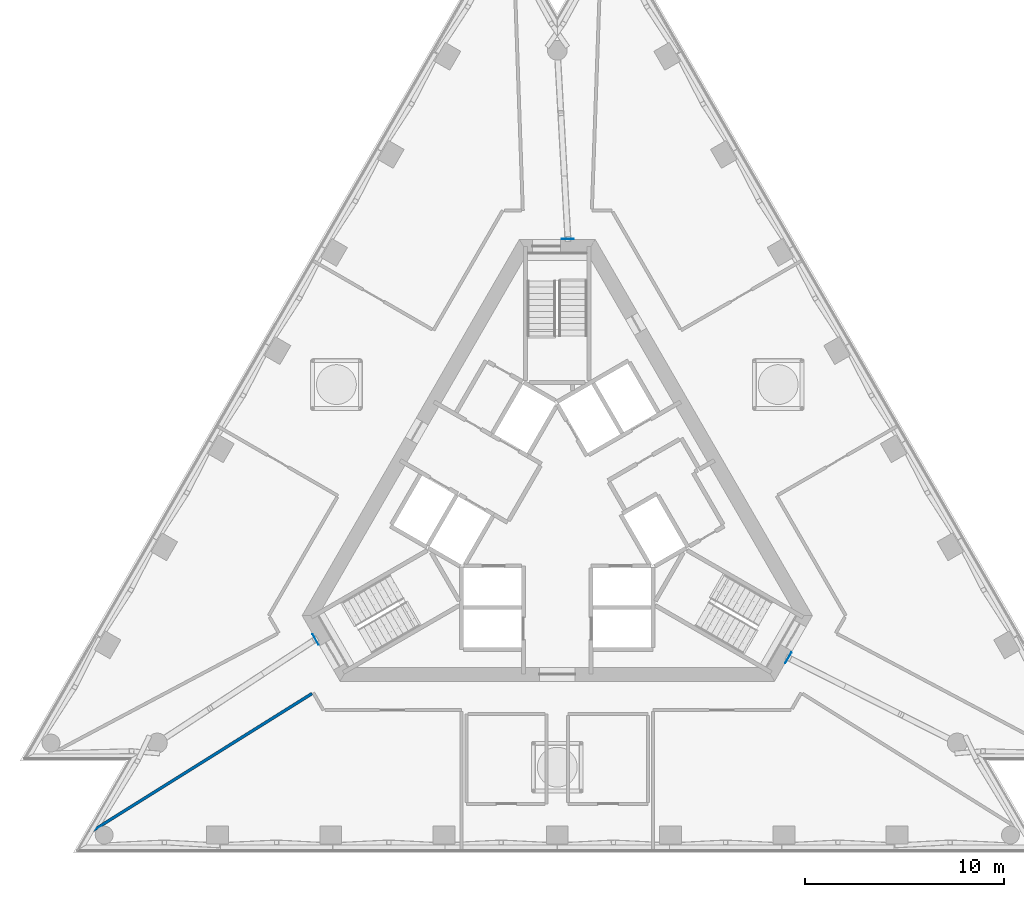
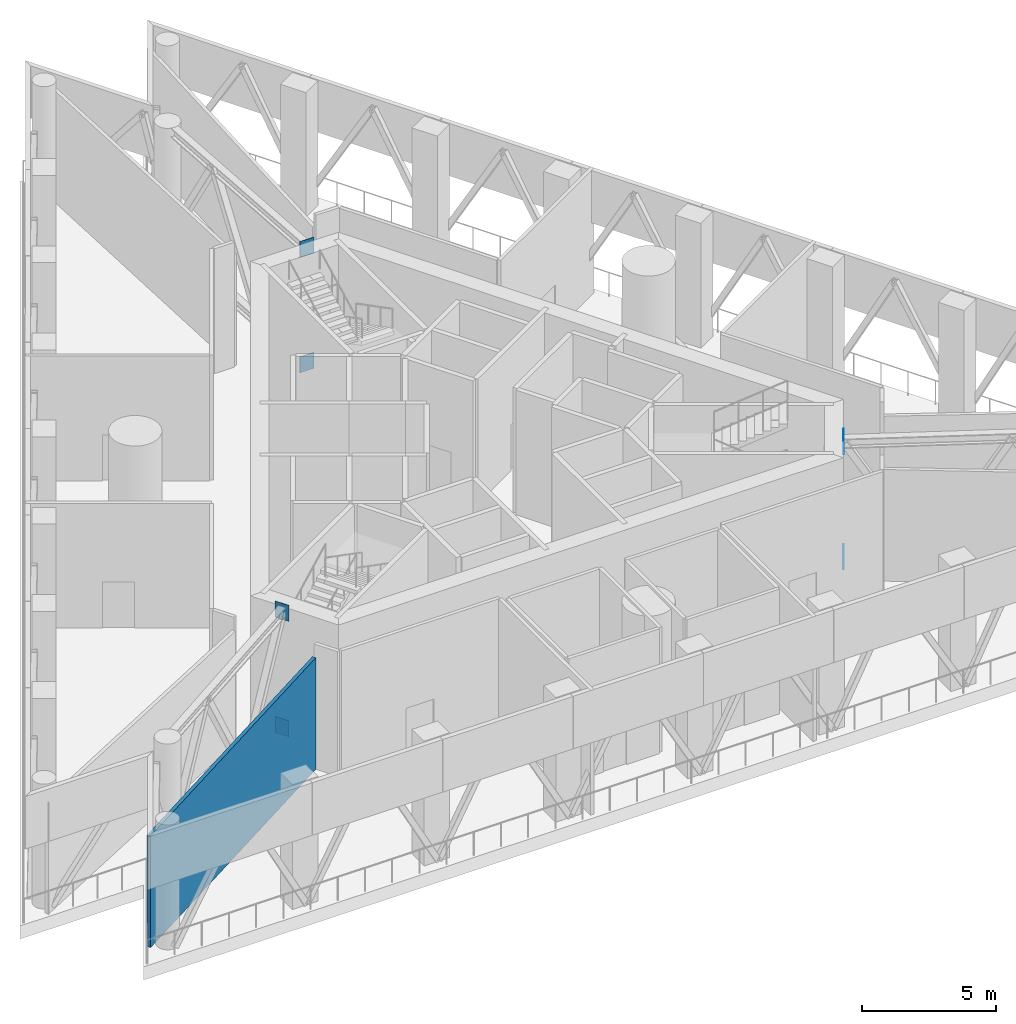
# One storey, part 7 of 15: 6 plates, 1 wall.
"""IFC4 building model written with IfcOpenShell, lengths in metres."""

from ifc_helpers import new_model, si_unit, direction, frame, frame_2d, origin, origin_2d, place, context, subcontext, project, spatial, rectangle, extrude, material, layer, layer_set, type_object, element, save


model = new_model("IFC4")

# Units and contexts
model_context = context("Model", 3, precision=1e-05, world=origin(), true_north=direction((0.0, 1.0)))
body_context = subcontext(model_context, "Body", "Model", "MODEL_VIEW")
ifc_project = project(units=[si_unit("LENGTHUNIT", "METRE"), si_unit("AREAUNIT", "SQUARE_METRE"), si_unit("VOLUMEUNIT", "CUBIC_METRE"), si_unit("PLANEANGLEUNIT", "RADIAN"), si_unit("MASSUNIT", "GRAM", prefix="KILO")], contexts=[model_context])

# Site, building, storey
site_placement = place(None, origin())
site = spatial("IfcSite", under=ifc_project, at=site_placement, CompositionType="ELEMENT")
building_placement = place(site_placement, origin())
building = spatial("IfcBuilding", under=site, at=building_placement, Name="Triada Interchange Tower", CompositionType="ELEMENT")
storey_placement = place(building_placement, frame((0.0, 0.0, 255.800048828125)))
storey = spatial("IfcBuildingStorey", under=building, at=storey_placement, Name="L60", CompositionType="ELEMENT", Elevation=255.800048828125)

# Plates
ifc_material_1 = material(Name="Steel S460M", Category="steel")
ifc_layer_1 = layer(ifc_material_1, 0.01806640625)
ifc_layer_set_1 = layer_set([ifc_layer_1], Name="Outrigger end plate 18")
plate_type = type_object("IfcPlateType", Name="Outrigger end plate 18", PredefinedType="SHEET", material=ifc_layer_set_1)
for number, where, z_axis, x_axis, name in (
    (1, (0.533935546875, 13.708984375, -0.14990234375), (0.0, 0.0, 1.0), (0.0, 1.0, 0.0), "Outrigger end plate N bottom L60"),
    (2, (0.533935546875, 13.708984375, 5.117919921875), (0.0, 0.0, 1.0), (0.0, 1.0, 0.0), "Outrigger end plate N top L60"),
    (3, (-12.138916015625, -6.39208984375, -0.14990234375), (0.0, 0.0, 1.0), (-0.866025403784, -0.5, 0.0), "Outrigger end plate SW bottom L60"),
    (4, (-12.138916015625, -6.39208984375, 5.117919921875), (0.0, 0.0, 1.0), (-0.866025403784, -0.5, 0.0), "Outrigger end plate SW top L60"),
    (5, (11.60498046875, -7.31689453125, -0.14990234375), (0.0, 0.0, 1.0), (0.866025403784, -0.5, 0.0), "Outrigger end plate SE bottom L60"),
    (6, (11.60498046875, -7.31689453125, 5.117919921875), (0.0, 0.0, 1.0), (0.866025403784, -0.5, 0.0), "Outrigger end plate SE top L60"),
):
    element("IfcPlate", number, at=place(storey_placement, frame(where, z_axis=z_axis, x_axis=x_axis)), inside=storey, type_object=plate_type, Name=name, PredefinedType="SHEET", context=body_context, shape_type="SweptSolid", body=[
        extrude(rectangle(XDim=0.01806640625, YDim=0.60693359375, at=origin_2d()), origin(), (0.0, 0.0, 1.0), 0.73193359375),
    ])

# Wall
ifc_material_2 = material(Name="Gypsum board partition")
ifc_layer_2 = layer(ifc_material_2, 0.14990234375)
ifc_layer_set_2 = layer_set([ifc_layer_2], Name="PARTITION 150 EI 180")
wall_type = type_object("IfcWallType", Name="PARTITION 150 EI 180", PredefinedType="PARTITIONING", material=ifc_layer_set_2)
wall_placement = place(storey_placement, frame((-23.4990234375, -16.10400390625, 0.0), z_axis=(0.0, 0.0, 1.0), x_axis=(0.847932766804, 0.530103785103, 0.0)))
element("IfcWall", 7, at=wall_placement, inside=storey, type_object=wall_type, Name="Wall L60 7", PredefinedType="PARTITIONING", context=body_context, shape_type="SweptSolid", body=[
    extrude(rectangle(XDim=13.18603515625, YDim=0.14990234375, at=frame_2d((6.593017578125, 0.0))), origin(), (0.0, 0.0, 1.0), 5.099853515625),
])

save(model, "model.ifc")
